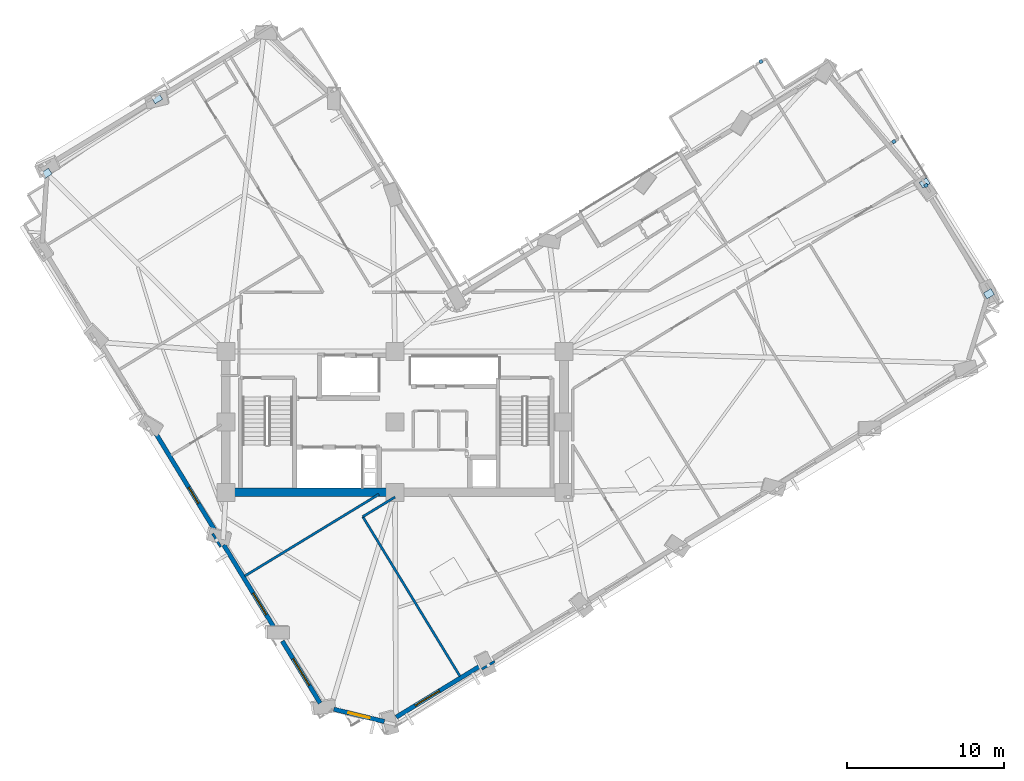
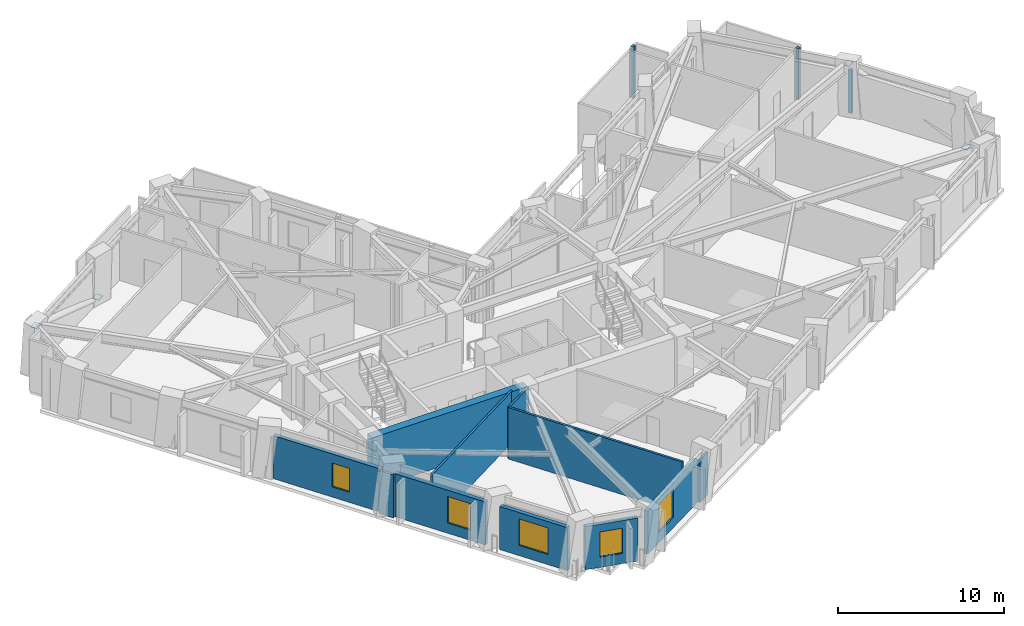
# One storey, part 4 of 14: 11 walls, 7 plates, 5 windows, 5 openings.
"""IFC4 building model written with IfcOpenShell, lengths in metres."""

from ifc_helpers import new_model, si_unit, direction, frame, frame_2d, origin, origin_2d, place, context, subcontext, project, spatial, rectangle, extrude, material, layer, layer_set, type_object, element, fill, save


model = new_model("IFC4")

# Units and contexts
model_context = context("Model", 3, precision=1e-05, world=origin(), true_north=direction((0.0, 1.0)))
body_context = subcontext(model_context, "Body", "Model", "MODEL_VIEW")
ifc_project = project(units=[si_unit("LENGTHUNIT", "METRE"), si_unit("AREAUNIT", "SQUARE_METRE"), si_unit("VOLUMEUNIT", "CUBIC_METRE"), si_unit("PLANEANGLEUNIT", "RADIAN"), si_unit("MASSUNIT", "GRAM", prefix="KILO")], contexts=[model_context])

# Site, building, storey
site_placement = place(None, origin())
site = spatial("IfcSite", under=ifc_project, at=site_placement, CompositionType="ELEMENT")
building_placement = place(site_placement, origin())
building = spatial("IfcBuilding", under=site, at=building_placement, Name="Gaonmaruhae Medical Tower", CompositionType="ELEMENT")
storey_placement = place(building_placement, frame((0.0, 0.0, 157.800048828125)))
storey = spatial("IfcBuildingStorey", under=building, at=storey_placement, Name="L37", CompositionType="ELEMENT", Elevation=157.800048828125)

# Plates
ifc_material_1 = material(Name="Steel HSA650 (650 MPa)", Category="steel")
ifc_layer_1 = layer(ifc_material_1, 0.028076171875)
ifc_layer_set_1 = layer_set([ifc_layer_1], Name="Steel HSA650 (650 MPa)")
plate_type_1 = type_object("IfcPlateType", Name="GP-02 Tube Brace End Cap Gusset Plate", PredefinedType="USERDEFINED", material=ifc_layer_set_1)
for number, where, z_axis, x_axis, name in (
    (1, (62.750244140625, 20.486083984375, 0.23583984375), (0.0, 0.0, 1.0), (0.854005138885, 0.520264569962, 0.0), "L37 Gusset Cap Plate PLT-L37-PBR-E01A"),
    (2, (58.649658203125, 27.56298828125, 3.51611328125), (0.0, 0.0, 1.0), (0.845261833222, 0.53435234939, 0.0), "L37 Gusset Cap Plate PLT-L37-PBR-E01B"),
    (3, (9.603271484375, 32.9560546875, 0.23583984375), (0.0, 0.0, 1.0), (0.854005138885, 0.520264569962, 0.0), "L37 Gusset Cap Plate PLT-L37-PBR-N02A"),
    (4, (2.540283203125, 28.175537109375, 3.51611328125), (0.0, 0.0, 1.0), (0.845261833222, 0.53435234939, 0.0), "L37 Gusset Cap Plate PLT-L37-PBR-N02B"),
):
    element("IfcPlate", number, at=place(storey_placement, frame(where, z_axis=z_axis, x_axis=x_axis)), inside=storey, type_object=plate_type_1, Name=name, ObjectType="GUSSET_PLATE", PredefinedType="USERDEFINED", context=body_context, shape_type="SweptSolid", body=[
        extrude(rectangle(XDim=0.56005859375, YDim=0.43994140625, at=origin_2d()), origin(), (0.0, 0.0, 1.0), 0.028076171875),
    ])
ifc_material_2 = material(Name="Anodised aluminium 6063-T6", Category="aluminium")
ifc_layer_2 = layer(ifc_material_2, 0.011962890625)
ifc_layer_set_2 = layer_set([ifc_layer_2], Name="Anodised aluminium 6063-T6")
plate_type_2 = type_object("IfcPlateType", Name="PP-01 Interior Partition Corner Stiffener Plate", PredefinedType="SHEET", material=ifc_layer_set_2)
plate_placement = place(storey_placement, frame((58.736083984375, 27.402099609375, 0.0), z_axis=(0.0, 0.0, 1.0), x_axis=(0.520145323279, -0.854077773198, 0.0)))
element("IfcPlate", 5, at=plate_placement, inside=storey, type_object=plate_type_2, Name="L37 Partition Corner Stiffener Plate PLT-L37-JGP-PW030", PredefinedType="SHEET", context=body_context, shape_type="SweptSolid", body=[
    extrude(rectangle(XDim=0.219970703125, YDim=0.219970703125, at=origin_2d()), origin(), (0.0, 0.0, 1.0), 3.1650390625),
])
for number, where, z_axis, x_axis, name in (
    (6, (56.677001953125, 30.20556640625, 0.0), (0.0, 0.0, 1.0), (-0.853741699943, -0.520696754146, 0.0), "L37 Partition Corner Stiffener Plate PLT-L37-JGP-PW086"),
    (7, (48.1865234375, 35.325439453125, 0.0), (0.0, 0.0, 1.0), (0.853450754877, 0.521173492227, 0.0), "L37 Partition Corner Stiffener Plate PLT-L37-JGP-PW088"),
):
    element("IfcPlate", number, at=place(storey_placement, frame(where, z_axis=z_axis, x_axis=x_axis)), inside=storey, type_object=plate_type_2, Name=name, PredefinedType="SHEET", context=body_context, shape_type="SweptSolid", body=[
        extrude(rectangle(XDim=0.219970703125, YDim=0.219970703125, at=origin_2d()), origin(), (0.0, 0.0, 1.0), 3.780029296875),
    ])

# Wall
ifc_material_3 = material(Name="Concrete C50/60", Category="concrete")
ifc_layer_3 = layer(ifc_material_3, 0.550048828125)
ifc_layer_set_3 = layer_set([ifc_layer_3], Name="Concrete C50/60")
wall_type_1 = type_object("IfcWallType", Name="CW-550 Mid-High Core Shear Wall", PredefinedType="SHEAR", material=ifc_layer_set_3)
wall_1_placement = place(storey_placement, frame((14.0, 7.800048828125, 0.0), z_axis=(0.0, 0.0, 1.0), x_axis=(1.0, 0.0, 0.0)))
element("IfcWall", 8, at=wall_1_placement, inside=storey, type_object=wall_type_1, Name="L37 Core Shear Wall CSW-S1", PredefinedType="SHEAR", context=body_context, shape_type="SweptSolid", body=[
    extrude(rectangle(XDim=10.800048828125, YDim=0.550048828125, at=frame_2d((5.39990234375, 0.0))), origin(), (0.0, 0.0, 1.0), 3.780029296875),
])

# Wall, opening, window
ifc_material_4 = material(Name="Precast concrete C45/55", Category="concrete")
ifc_layer_4 = layer(ifc_material_4, 0.280029296875)
ifc_layer_set_4 = layer_set([ifc_layer_4], Name="Precast concrete C45/55")
wall_type_2 = type_object("IfcWallType", Name="EW-280 Upper Precast Masonry-Frame Facade Wall", PredefinedType="SOLIDWALL", material=ifc_layer_set_4)
wall_2_placement = place(storey_placement, frame((30.2392578125, -3.301025390625, 0.0), z_axis=(0.0, 0.0, 1.0), x_axis=(-0.854006757287, -0.520261913374, 0.0)))
wall_2 = element("IfcWall", 9, at=wall_2_placement, inside=storey, type_object=wall_type_2, Name="L37 Precast Masonry-Frame Wall S01-S02", PredefinedType="SOLIDWALL", context=body_context, shape_type="SweptSolid", body=[
    extrude(rectangle(XDim=6.269775390625, YDim=0.280029296875, at=frame_2d((3.134765625, 0.0))), origin(), (0.0, 0.0, 1.0), 3.1650390625),
])
opening_1_placement = place(wall_2_placement, frame((3.046630859375, 0.0, 0.75)))
opening_1 = element("IfcOpeningElement", 10, at=opening_1_placement, cuts=wall_2, Name="Opening WN-04", PredefinedType="OPENING", context=body_context, shape_type="SweptSolid", body=[
    extrude(rectangle(XDim=1.800048828125, YDim=2.050048828125, at=frame_2d((0.89990234375, 1.02490234375))), frame((0.0, 0.14990234375, 0.0), z_axis=(0.0, -1.0, 0.0), x_axis=(1.0, 0.0, 0.0)), (0.0, 0.0, 1.0), 0.300048828125),
])
ifc_material_5 = material(Name="Anodised aluminium and Low-E double glazing", Category="aluminium")
window_type_1 = type_object("IfcWindowType", Name="WN-04 Clinic & Consult Punched Window 1800x2050", PartitioningType="SINGLE_PANEL", PredefinedType="WINDOW", material=ifc_material_5)
window_1_placement = place(opening_1_placement, origin())
window_1 = element("IfcWindow", 11, at=window_1_placement, inside=storey, type_object=window_type_1, Name="L37 Modular Facade Window S01", OverallHeight=2.050048828125, OverallWidth=1.800048828125, PartitioningType="SINGLE_PANEL", PredefinedType="WINDOW", context=body_context, shape_type="SweptSolid", body=[
    extrude(rectangle(XDim=1.800048828125, YDim=2.050048828125, at=frame_2d((0.89990234375, 1.02490234375))), frame((0.0, 0.030029296875, 0.0), z_axis=(0.0, -1.0, 0.0), x_axis=(1.0, 0.0, 0.0)), (0.0, 0.0, 1.0), 0.06005859375),
])
fill(opening_1, window_1)

wall_3_placement = place(storey_placement, frame((13.348876953125, 5.2802734375, 0.0), z_axis=(0.0, 0.0, 1.0), x_axis=(-0.520274172531, 0.853999288874, 0.0)))
wall_3 = element("IfcWall", 12, at=wall_3_placement, inside=storey, type_object=wall_type_2, Name="L37 Precast Masonry-Frame Wall W03-W04", PredefinedType="SOLIDWALL", context=body_context, shape_type="SweptSolid", body=[
    extrude(rectangle(XDim=7.3603515625, YDim=0.280029296875, at=frame_2d((3.68017578125, 0.0))), origin(), (0.0, 0.0, 1.0), 3.1650390625),
])
opening_2_placement = place(wall_3_placement, frame((2.125244140625, 0.0, 0.75)))
opening_2 = element("IfcOpeningElement", 13, at=opening_2_placement, cuts=wall_3, Name="Opening WN-05", PredefinedType="OPENING", context=body_context, shape_type="SweptSolid", body=[
    extrude(rectangle(XDim=1.199951171875, YDim=1.75, at=frame_2d((0.60009765625, 0.875))), frame((0.0, 0.14990234375, 0.0), z_axis=(0.0, -1.0, 0.0), x_axis=(1.0, 0.0, 0.0)), (0.0, 0.0, 1.0), 0.300048828125),
])
window_type_2 = type_object("IfcWindowType", Name="WN-05 Support & Staff Punched Window 1200x1750", PartitioningType="SINGLE_PANEL", PredefinedType="WINDOW", material=ifc_material_5)
window_2_placement = place(opening_2_placement, origin())
window_2 = element("IfcWindow", 14, at=window_2_placement, inside=storey, type_object=window_type_2, Name="L37 Modular Facade Window W03", OverallHeight=1.75, OverallWidth=1.199951171875, PartitioningType="SINGLE_PANEL", PredefinedType="WINDOW", context=body_context, shape_type="SweptSolid", body=[
    extrude(rectangle(XDim=1.199951171875, YDim=1.75, at=frame_2d((0.60009765625, 0.875))), frame((0.0, 0.030029296875, 0.0), z_axis=(0.0, -1.0, 0.0), x_axis=(1.0, 0.0, 0.0)), (0.0, 0.0, 1.0), 0.06005859375),
])
fill(opening_2, window_2)

wall_4_placement = place(storey_placement, frame((17.099853515625, -0.876953125, 0.0), z_axis=(0.0, 0.0, 1.0), x_axis=(-0.520253060888, 0.854012150169, 0.0)))
wall_4 = element("IfcWall", 15, at=wall_4_placement, inside=storey, type_object=wall_type_2, Name="L37 Precast Masonry-Frame Wall W04-W05", PredefinedType="SOLIDWALL", context=body_context, shape_type="SweptSolid", body=[
    extrude(rectangle(XDim=6.223388671875, YDim=0.280029296875, at=frame_2d((3.11181640625, 0.0))), origin(), (0.0, 0.0, 1.0), 3.1650390625),
])
opening_3_placement = place(wall_4_placement, frame((1.0126953125, 0.0, 0.75)))
opening_3 = element("IfcOpeningElement", 16, at=opening_3_placement, cuts=wall_4, Name="Opening WN-01", PredefinedType="OPENING", context=body_context, shape_type="SweptSolid", body=[
    extrude(rectangle(XDim=1.60009765625, YDim=1.949951171875, at=frame_2d((0.800048828125, 0.97509765625))), frame((0.0, 0.14990234375, 0.0), z_axis=(0.0, -1.0, 0.0), x_axis=(1.0, 0.0, 0.0)), (0.0, 0.0, 1.0), 0.300048828125),
])
window_type_3 = type_object("IfcWindowType", Name="WN-01 Ward Punched Acoustic Window 1600x1950", PartitioningType="SINGLE_PANEL", PredefinedType="WINDOW", material=ifc_material_5)
window_3_placement = place(opening_3_placement, origin())
window_3 = element("IfcWindow", 17, at=window_3_placement, inside=storey, type_object=window_type_3, Name="L37 Modular Facade Window W04", OverallHeight=1.949951171875, OverallWidth=1.60009765625, PartitioningType="SINGLE_PANEL", PredefinedType="WINDOW", context=body_context, shape_type="SweptSolid", body=[
    extrude(rectangle(XDim=1.60009765625, YDim=1.949951171875, at=frame_2d((0.800048828125, 0.97509765625))), frame((0.0, 0.030029296875, 0.0), z_axis=(0.0, -1.0, 0.0), x_axis=(1.0, 0.0, 0.0)), (0.0, 0.0, 1.0), 0.06005859375),
])
fill(opening_3, window_3)

wall_5_placement = place(storey_placement, frame((20.020263671875, -5.67041015625, 0.0), z_axis=(0.0, 0.0, 1.0), x_axis=(-0.5202935539, 0.853987481038, 0.0)))
wall_5 = element("IfcWall", 18, at=wall_5_placement, inside=storey, type_object=wall_type_2, Name="L37 Precast Masonry-Frame Wall W05-W06", PredefinedType="SOLIDWALL", context=body_context, shape_type="SweptSolid", body=[
    extrude(rectangle(XDim=4.647216796875, YDim=0.280029296875, at=frame_2d((2.32373046875, 0.0))), origin(), (0.0, 0.0, 1.0), 3.1650390625),
])
opening_4_placement = place(wall_5_placement, frame((1.3271484375, 0.0, 0.75)))
opening_4 = element("IfcOpeningElement", 19, at=opening_4_placement, cuts=wall_5, Name="Opening WN-02", PredefinedType="OPENING", context=body_context, shape_type="SweptSolid", body=[
    extrude(rectangle(XDim=2.0, YDim=1.949951171875, at=frame_2d((1.0, 0.97509765625))), frame((0.0, 0.14990234375, 0.0), z_axis=(0.0, -1.0, 0.0), x_axis=(1.0, 0.0, 0.0)), (0.0, 0.0, 1.0), 0.300048828125),
])
window_type_4 = type_object("IfcWindowType", Name="WN-02 Double-Bed Ward Punched Window 2000x1950", PartitioningType="SINGLE_PANEL", PredefinedType="WINDOW", material=ifc_material_5)
window_4_placement = place(opening_4_placement, origin())
window_4 = element("IfcWindow", 20, at=window_4_placement, inside=storey, type_object=window_type_4, Name="L37 Modular Facade Window W05", OverallHeight=1.949951171875, OverallWidth=2.0, PartitioningType="SINGLE_PANEL", PredefinedType="WINDOW", context=body_context, shape_type="SweptSolid", body=[
    extrude(rectangle(XDim=2.0, YDim=1.949951171875, at=frame_2d((1.0, 0.97509765625))), frame((0.0, 0.030029296875, 0.0), z_axis=(0.0, -1.0, 0.0), x_axis=(1.0, 0.0, 0.0)), (0.0, 0.0, 1.0), 0.06005859375),
])
fill(opening_4, window_4)

wall_6_placement = place(storey_placement, frame((24.121826171875, -6.843505859375, 0.0), z_axis=(0.0, 0.0, 1.0), x_axis=(-0.971754185361, 0.235995345787, 0.0)))
wall_6 = element("IfcWall", 21, at=wall_6_placement, inside=storey, type_object=wall_type_2, Name="L37 Precast Masonry-Frame Wall W06-S01", PredefinedType="SOLIDWALL", context=body_context, shape_type="SweptSolid", body=[
    extrude(rectangle(XDim=3.32275390625, YDim=0.280029296875, at=frame_2d((1.661376953125, 0.0))), origin(), (0.0, 0.0, 1.0), 3.1650390625),
])
opening_5_placement = place(wall_6_placement, frame((0.9609375, 0.0, 0.75)))
opening_5 = element("IfcOpeningElement", 22, at=opening_5_placement, cuts=wall_6, Name="Opening WN-03", PredefinedType="OPENING", context=body_context, shape_type="SweptSolid", body=[
    extrude(rectangle(XDim=1.39990234375, YDim=1.85009765625, at=frame_2d((0.699951171875, 0.925048828125))), frame((0.0, 0.14990234375, 0.0), z_axis=(0.0, -1.0, 0.0), x_axis=(1.0, 0.0, 0.0)), (0.0, 0.0, 1.0), 0.300048828125),
])
window_type_5 = type_object("IfcWindowType", Name="WN-03 Isolation Ward Punched Window 1400x1850", PartitioningType="SINGLE_PANEL", PredefinedType="WINDOW", material=ifc_material_5)
window_5_placement = place(opening_5_placement, origin())
window_5 = element("IfcWindow", 23, at=window_5_placement, inside=storey, type_object=window_type_5, Name="L37 Modular Facade Window W06", OverallHeight=1.85009765625, OverallWidth=1.39990234375, PartitioningType="SINGLE_PANEL", PredefinedType="WINDOW", context=body_context, shape_type="SweptSolid", body=[
    extrude(rectangle(XDim=1.39990234375, YDim=1.85009765625, at=frame_2d((0.699951171875, 0.925048828125))), frame((0.0, 0.030029296875, 0.0), z_axis=(0.0, -1.0, 0.0), x_axis=(1.0, 0.0, 0.0)), (0.0, 0.0, 1.0), 0.06005859375),
])
fill(opening_5, window_5)

# Walls
ifc_material_6 = material(Name="Gypsum board partition", Category="gypsum")
ifc_layer_5 = layer(ifc_material_6, 0.14990234375)
ifc_layer_set_5 = layer_set([ifc_layer_5], Name="Gypsum board partition")
wall_type_3 = type_object("IfcWallType", Name="PW-150 Rated Clinical Corridor Partition", PredefinedType="PARTITIONING", material=ifc_layer_set_5)
wall_7_placement = place(storey_placement, frame((31.172119140625, -3.0029296875, 0.0), z_axis=(0.0, 0.0, 1.0), x_axis=(-0.854149035342, -0.520028292907, 0.0)))
element("IfcWall", 24, at=wall_7_placement, inside=storey, type_object=wall_type_3, Name="L37 Interior Partition L37-SUP02-8", PredefinedType="PARTITIONING", context=body_context, shape_type="SweptSolid", body=[
    extrude(rectangle(XDim=0.9521484375, YDim=0.14990234375, at=frame_2d((0.47607421875, 0.0))), origin(), (0.0, 0.0, 1.0), 3.1650390625),
])
wall_8_placement = place(storey_placement, frame((28.9541015625, -3.948974609375, 0.0), z_axis=(0.0, 0.0, 1.0), x_axis=(-0.520266211394, 0.854004138914, 0.0)))
element("IfcWall", 25, at=wall_8_placement, inside=storey, type_object=wall_type_3, Name="L37 Interior Partition L37-SUP02-9", PredefinedType="PARTITIONING", context=body_context, shape_type="SweptSolid", body=[
    extrude(rectangle(XDim=11.934326171875, YDim=0.14990234375, at=frame_2d((5.96728515625, 0.0))), origin(), (0.0, 0.0, 1.0), 3.780029296875),
])
wall_9_placement = place(storey_placement, frame((22.7451171875, 6.242919921875, 0.0), z_axis=(0.0, 0.0, 1.0), x_axis=(0.853950619488, 0.520354052041, 0.0)))
element("IfcWall", 26, at=wall_9_placement, inside=storey, type_object=wall_type_3, Name="L37 Interior Partition L37-SUP02-10", PredefinedType="PARTITIONING", context=body_context, shape_type="SweptSolid", body=[
    extrude(rectangle(XDim=2.415771484375, YDim=0.14990234375, at=frame_2d((1.2080078125, 0.0))), origin(), (0.0, 0.0, 1.0), 3.780029296875),
])
wall_10_placement = place(storey_placement, frame((23.778076171875, 7.675048828125, 0.0), z_axis=(0.0, 0.0, 1.0), x_axis=(-0.854003106526, -0.520267906029, 0.0)))
element("IfcWall", 27, at=wall_10_placement, inside=storey, type_object=wall_type_3, Name="L37 Interior Partition L37-WOF08-34", PredefinedType="PARTITIONING", context=body_context, shape_type="SweptSolid", body=[
    extrude(rectangle(XDim=10.037353515625, YDim=0.14990234375, at=frame_2d((5.0185546875, 0.0))), origin(), (0.0, 0.0, 1.0), 3.780029296875),
])
wall_11_placement = place(storey_placement, frame((13.6650390625, 4.318115234375, 0.0), z_axis=(0.0, 0.0, 1.0), x_axis=(-0.520347597219, 0.853954552695, 0.0)))
element("IfcWall", 28, at=wall_11_placement, inside=storey, type_object=wall_type_3, Name="L37 Interior Partition L37-WOF08-35", PredefinedType="PARTITIONING", context=body_context, shape_type="SweptSolid", body=[
    extrude(rectangle(XDim=0.98583984375, YDim=0.14990234375, at=frame_2d((0.492919921875, 0.0))), origin(), (0.0, 0.0, 1.0), 3.1650390625),
])

save(model, "model.ifc")
